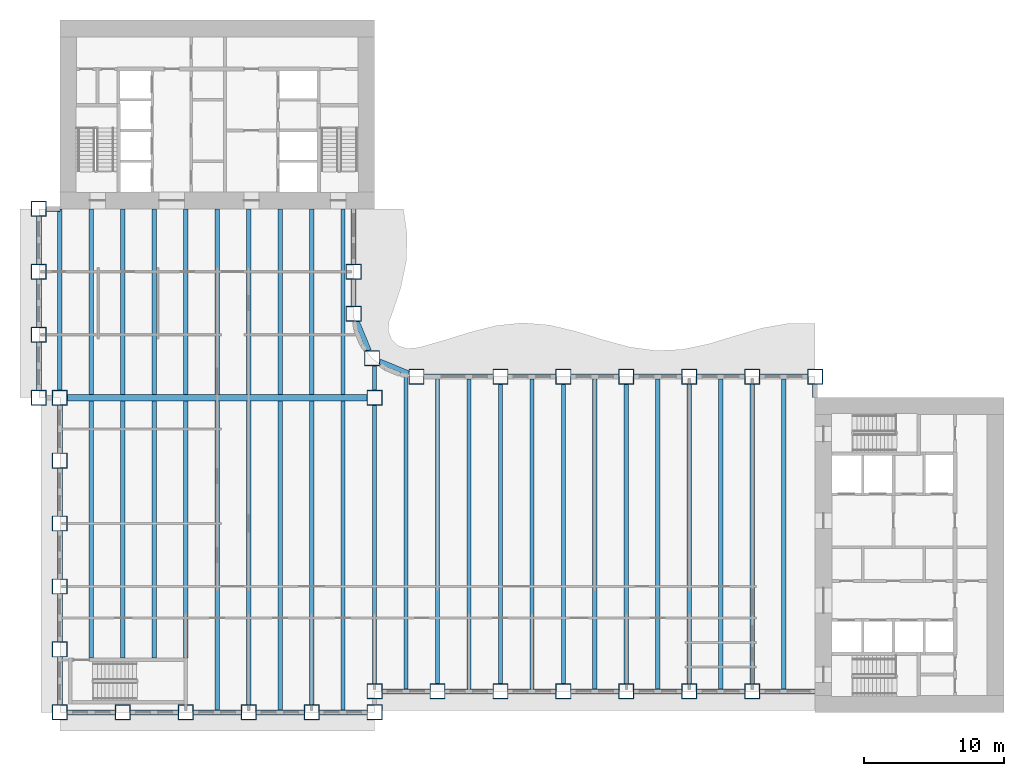
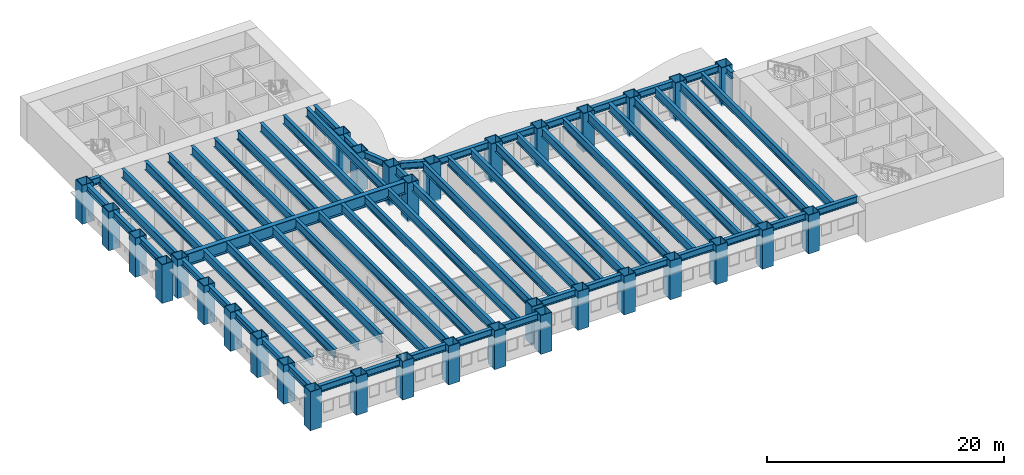
# One storey, part 1 of 17: 67 beams, 33 columns.
"""IFC4 building model written with IfcOpenShell, lengths in metres."""

from ifc_helpers import new_model, si_unit, direction, frame, origin, origin_2d, place, context, subcontext, project, spatial, hollow_rectangle, i_section, extrude, material, material_profile, profile_set, type_object, element, save


model = new_model("IFC4")

# Units and contexts
model_context = context("Model", 3, precision=1e-05, world=origin(), true_north=direction((0.0, 1.0)))
body_context = subcontext(model_context, "Body", "Model", "MODEL_VIEW")
ifc_project = project(units=[si_unit("LENGTHUNIT", "METRE"), si_unit("AREAUNIT", "SQUARE_METRE"), si_unit("VOLUMEUNIT", "CUBIC_METRE"), si_unit("PLANEANGLEUNIT", "RADIAN"), si_unit("MASSUNIT", "GRAM", prefix="KILO")], contexts=[model_context])

# Site, building, storey
site_placement = place(None, origin())
site = spatial("IfcSite", under=ifc_project, at=site_placement, CompositionType="ELEMENT")
building_placement = place(site_placement, origin())
building = spatial("IfcBuilding", under=site, at=building_placement, Name="Sennacour Bend Tower", CompositionType="ELEMENT")
storey_placement = place(building_placement, frame((0.0, 0.0, 53.0)))
storey = spatial("IfcBuildingStorey", under=building, at=storey_placement, Name="L11", CompositionType="ELEMENT", Elevation=53.0)

# Columns
ifc_material_1 = material(Name="Steel ASTM A572 Grade 50", Category="steel")
ifc_material_profile_1 = material_profile(ifc_material_1, hollow_rectangle(XDim=1.10009765625, YDim=1.10009765625, WallThickness=0.06005859375, at=origin_2d()), Name="Steel ASTM A572 Grade 50", Category="steel")
ifc_profile_set_1 = profile_set([ifc_material_profile_1], Name="Steel ASTM A572 Grade 50")
column_type = type_object("IfcColumnType", Name="Box column 1100", PredefinedType="COLUMN", material=ifc_profile_set_1)
for number, where, z_axis, x_axis, name in (
    (1, (-1.5, 22.5, -0.14990234375), (0.0, 0.0, 1.0), (1.0, 0.0, 0.0), "Perimeter column C1 L11-001"),
    (2, (-1.5, 27.0, -0.14990234375), (0.0, 0.0, 1.0), (1.0, 0.0, 0.0), "Perimeter column C1 L11-002"),
    (3, (-1.5, 31.5, -0.14990234375), (0.0, 0.0, 1.0), (1.0, 0.0, 0.0), "Perimeter column C1 L11-003"),
    (4, (-1.5, 36.0, -0.14990234375), (0.0, 0.0, 1.0), (1.0, 0.0, 0.0), "Perimeter column C1 L11-004"),
    (5, (0.0, 0.0, -0.14990234375), (0.0, 0.0, 1.0), (1.0, 0.0, 0.0), "Perimeter column C1 L11-005"),
    (6, (0.0, 4.5, -0.14990234375), (0.0, 0.0, 1.0), (1.0, 0.0, 0.0), "Perimeter column C1 L11-006"),
    (7, (0.0, 9.0, -0.14990234375), (0.0, 0.0, 1.0), (1.0, 0.0, 0.0), "Perimeter column C1 L11-007"),
    (8, (0.0, 13.5, -0.14990234375), (0.0, 0.0, 1.0), (1.0, 0.0, 0.0), "Perimeter column C1 L11-008"),
    (9, (0.0, 18.0, -0.14990234375), (0.0, 0.0, 1.0), (1.0, 0.0, 0.0), "Perimeter column C1 L11-009"),
    (10, (0.0, 22.5, -0.14990234375), (0.0, 0.0, 1.0), (1.0, 0.0, 0.0), "Perimeter column C1 L11-010"),
    (11, (4.5, 0.0, -0.14990234375), (0.0, 0.0, 1.0), (1.0, 0.0, 0.0), "Perimeter column C1 L11-011"),
    (12, (9.0, 0.0, -0.14990234375), (0.0, 0.0, 1.0), (1.0, 0.0, 0.0), "Perimeter column C1 L11-012"),
    (13, (13.5, 0.0, -0.14990234375), (0.0, 0.0, 1.0), (1.0, 0.0, 0.0), "Perimeter column C1 L11-013"),
    (14, (18.0, 0.0, -0.14990234375), (0.0, 0.0, 1.0), (1.0, 0.0, 0.0), "Perimeter column C1 L11-014"),
    (15, (21.0, 28.5, -0.14990234375), (0.0, 0.0, 1.0), (1.0, 0.0, 0.0), "Perimeter column C1 L11-015"),
    (16, (21.0, 31.5, -0.14990234375), (0.0, 0.0, 1.0), (1.0, 0.0, 0.0), "Perimeter column C1 L11-016"),
    (17, (22.318115234375, 25.318115234375, -0.14990234375), (0.0, 0.0, 1.0), (1.0, 0.0, 0.0), "Perimeter column C1 L11-017"),
    (18, (22.5, 0.0, -0.14990234375), (0.0, 0.0, 1.0), (1.0, 0.0, 0.0), "Perimeter column C1 L11-018"),
    (19, (22.5, 1.5, -0.14990234375), (0.0, 0.0, 1.0), (1.0, 0.0, 0.0), "Perimeter column C1 L11-019"),
    (20, (22.5, 22.5, -0.14990234375), (0.0, 0.0, 1.0), (1.0, 0.0, 0.0), "Knuckle column C1 L11-020"),
    (21, (25.5, 24.0, -0.14990234375), (0.0, 0.0, 1.0), (1.0, 0.0, 0.0), "Perimeter column C1 L11-021"),
    (22, (27.0, 1.5, -0.14990234375), (0.0, 0.0, 1.0), (1.0, 0.0, 0.0), "Perimeter column C1 L11-022"),
    (23, (31.5, 1.5, -0.14990234375), (0.0, 0.0, 1.0), (1.0, 0.0, 0.0), "Perimeter column C1 L11-023"),
    (24, (31.5, 24.0, -0.14990234375), (0.0, 0.0, 1.0), (1.0, 0.0, 0.0), "Perimeter column C1 L11-024"),
    (25, (36.0, 1.5, -0.14990234375), (0.0, 0.0, 1.0), (1.0, 0.0, 0.0), "Perimeter column C1 L11-025"),
    (26, (36.0, 24.0, -0.14990234375), (0.0, 0.0, 1.0), (1.0, 0.0, 0.0), "Perimeter column C1 L11-026"),
    (27, (40.5, 1.5, -0.14990234375), (0.0, 0.0, 1.0), (1.0, 0.0, 0.0), "Perimeter column C1 L11-027"),
    (28, (40.5, 24.0, -0.14990234375), (0.0, 0.0, 1.0), (1.0, 0.0, 0.0), "Perimeter column C1 L11-028"),
    (29, (45.0, 1.5, -0.14990234375), (0.0, 0.0, 1.0), (1.0, 0.0, 0.0), "Perimeter column C1 L11-029"),
    (30, (45.0, 24.0, -0.14990234375), (0.0, 0.0, 1.0), (1.0, 0.0, 0.0), "Perimeter column C1 L11-030"),
    (31, (49.5, 1.5, -0.14990234375), (0.0, 0.0, 1.0), (1.0, 0.0, 0.0), "Perimeter column C1 L11-031"),
    (32, (49.5, 24.0, -0.14990234375), (0.0, 0.0, 1.0), (1.0, 0.0, 0.0), "Perimeter column C1 L11-032"),
    (33, (54.0, 24.0, -0.14990234375), (0.0, 0.0, 1.0), (1.0, 0.0, 0.0), "Perimeter column C1 L11-033"),
):
    element("IfcColumn", number, at=place(storey_placement, frame(where, z_axis=z_axis, x_axis=x_axis)), inside=storey, type_object=column_type, Name=name, PredefinedType="COLUMN", context=body_context, shape_type="SweptSolid", body=[
        extrude(hollow_rectangle(XDim=1.10009765625, YDim=1.10009765625, WallThickness=0.06005859375, at=origin_2d()), origin(), (0.0, 0.0, 1.0), 4.0),
    ])

# Beams
ifc_material_2 = material(Name="Steel ASTM A992 Grade 50", Category="steel")
ifc_material_profile_2 = material_profile(ifc_material_2, i_section(OverallWidth=0.304931640625, OverallDepth=0.912109375, WebThickness=0.015869140625, FlangeThickness=0.02392578125, FilletRadius=0.01904296875, at=origin_2d()), Name="Steel ASTM A992 Grade 50", Category="steel")
ifc_profile_set_2 = profile_set([ifc_material_profile_2], Name="Steel ASTM A992 Grade 50")
beam_type_1 = type_object("IfcBeamType", Name="Floor beam W920X223", PredefinedType="BEAM", material=ifc_profile_set_2)
beam_1_placement = place(storey_placement, frame((0.0, 23.050048828125, 3.39404296875), z_axis=(0.0, 1.0, 0.0), x_axis=(-1.0, 0.0, 0.0)))
element("IfcBeam", 34, at=beam_1_placement, inside=storey, type_object=beam_type_1, Name="Floor beam FBM1 L12-001", PredefinedType="BEAM", context=body_context, shape_type="SweptSolid", body=[
    extrude(i_section(OverallWidth=0.304931640625, OverallDepth=0.912109375, WebThickness=0.015869140625, FlangeThickness=0.02392578125, FilletRadius=0.01904296875, at=origin_2d()), origin(), (0.0, 0.0, 1.0), 12.949951171875),
])
beam_2_placement = place(storey_placement, frame((2.25, 3.875, 3.39404296875), z_axis=(0.0, 1.0, 0.0), x_axis=(-1.0, 0.0, 0.0)))
element("IfcBeam", 35, at=beam_2_placement, inside=storey, type_object=beam_type_1, Name="Floor beam FBM1 L12-002", PredefinedType="BEAM", context=body_context, shape_type="SweptSolid", body=[
    extrude(i_section(OverallWidth=0.304931640625, OverallDepth=0.912109375, WebThickness=0.015869140625, FlangeThickness=0.02392578125, FilletRadius=0.01904296875, at=origin_2d()), origin(), (0.0, 0.0, 1.0), 18.39990234375),
])
beam_3_placement = place(storey_placement, frame((2.25, 22.72509765625, 3.39404296875), z_axis=(0.0, 1.0, 0.0), x_axis=(-1.0, 0.0, 0.0)))
element("IfcBeam", 36, at=beam_3_placement, inside=storey, type_object=beam_type_1, Name="Floor beam FBM1 L12-003", PredefinedType="BEAM", context=body_context, shape_type="SweptSolid", body=[
    extrude(i_section(OverallWidth=0.304931640625, OverallDepth=0.912109375, WebThickness=0.015869140625, FlangeThickness=0.02392578125, FilletRadius=0.01904296875, at=origin_2d()), origin(), (0.0, 0.0, 1.0), 13.27490234375),
])
beam_4_placement = place(storey_placement, frame((4.5, 3.875, 3.39404296875), z_axis=(0.0, 1.0, 0.0), x_axis=(-1.0, 0.0, 0.0)))
element("IfcBeam", 37, at=beam_4_placement, inside=storey, type_object=beam_type_1, Name="Floor beam FBM1 L12-004", PredefinedType="BEAM", context=body_context, shape_type="SweptSolid", body=[
    extrude(i_section(OverallWidth=0.304931640625, OverallDepth=0.912109375, WebThickness=0.015869140625, FlangeThickness=0.02392578125, FilletRadius=0.01904296875, at=origin_2d()), origin(), (0.0, 0.0, 1.0), 18.39990234375),
])
beam_5_placement = place(storey_placement, frame((4.5, 22.72509765625, 3.39404296875), z_axis=(0.0, 1.0, 0.0), x_axis=(-1.0, 0.0, 0.0)))
element("IfcBeam", 38, at=beam_5_placement, inside=storey, type_object=beam_type_1, Name="Floor beam FBM1 L12-005", PredefinedType="BEAM", context=body_context, shape_type="SweptSolid", body=[
    extrude(i_section(OverallWidth=0.304931640625, OverallDepth=0.912109375, WebThickness=0.015869140625, FlangeThickness=0.02392578125, FilletRadius=0.01904296875, at=origin_2d()), origin(), (0.0, 0.0, 1.0), 13.27490234375),
])
beam_6_placement = place(storey_placement, frame((6.75, 3.875, 3.39404296875), z_axis=(0.0, 1.0, 0.0), x_axis=(-1.0, 0.0, 0.0)))
element("IfcBeam", 39, at=beam_6_placement, inside=storey, type_object=beam_type_1, Name="Floor beam FBM1 L12-006", PredefinedType="BEAM", context=body_context, shape_type="SweptSolid", body=[
    extrude(i_section(OverallWidth=0.304931640625, OverallDepth=0.912109375, WebThickness=0.015869140625, FlangeThickness=0.02392578125, FilletRadius=0.01904296875, at=origin_2d()), origin(), (0.0, 0.0, 1.0), 18.39990234375),
])
beam_7_placement = place(storey_placement, frame((6.75, 22.72509765625, 3.39404296875), z_axis=(0.0, 1.0, 0.0), x_axis=(-1.0, 0.0, 0.0)))
element("IfcBeam", 40, at=beam_7_placement, inside=storey, type_object=beam_type_1, Name="Floor beam FBM1 L12-007", PredefinedType="BEAM", context=body_context, shape_type="SweptSolid", body=[
    extrude(i_section(OverallWidth=0.304931640625, OverallDepth=0.912109375, WebThickness=0.015869140625, FlangeThickness=0.02392578125, FilletRadius=0.01904296875, at=origin_2d()), origin(), (0.0, 0.0, 1.0), 13.27490234375),
])
beam_8_placement = place(storey_placement, frame((9.0, 3.875, 3.39404296875), z_axis=(0.0, 1.0, 0.0), x_axis=(-1.0, 0.0, 0.0)))
element("IfcBeam", 41, at=beam_8_placement, inside=storey, type_object=beam_type_1, Name="Floor beam FBM1 L12-008", PredefinedType="BEAM", context=body_context, shape_type="SweptSolid", body=[
    extrude(i_section(OverallWidth=0.304931640625, OverallDepth=0.912109375, WebThickness=0.015869140625, FlangeThickness=0.02392578125, FilletRadius=0.01904296875, at=origin_2d()), origin(), (0.0, 0.0, 1.0), 18.39990234375),
])
beam_9_placement = place(storey_placement, frame((9.0, 22.72509765625, 3.39404296875), z_axis=(0.0, 1.0, 0.0), x_axis=(-1.0, 0.0, 0.0)))
element("IfcBeam", 42, at=beam_9_placement, inside=storey, type_object=beam_type_1, Name="Floor beam FBM1 L12-009", PredefinedType="BEAM", context=body_context, shape_type="SweptSolid", body=[
    extrude(i_section(OverallWidth=0.304931640625, OverallDepth=0.912109375, WebThickness=0.015869140625, FlangeThickness=0.02392578125, FilletRadius=0.01904296875, at=origin_2d()), origin(), (0.0, 0.0, 1.0), 13.27490234375),
])
beam_10_placement = place(storey_placement, frame((11.25, 0.178955078125, 3.39404296875), z_axis=(0.0, 1.0, 0.0), x_axis=(-1.0, 0.0, 0.0)))
element("IfcBeam", 43, at=beam_10_placement, inside=storey, type_object=beam_type_1, Name="Floor beam FBM1 L12-010", PredefinedType="BEAM", context=body_context, shape_type="SweptSolid", body=[
    extrude(i_section(OverallWidth=0.304931640625, OverallDepth=0.912109375, WebThickness=0.015869140625, FlangeThickness=0.02392578125, FilletRadius=0.01904296875, at=origin_2d()), origin(), (0.0, 0.0, 1.0), 22.095947265625),
])
beam_11_placement = place(storey_placement, frame((11.25, 22.72509765625, 3.39404296875), z_axis=(0.0, 1.0, 0.0), x_axis=(-1.0, 0.0, 0.0)))
element("IfcBeam", 44, at=beam_11_placement, inside=storey, type_object=beam_type_1, Name="Floor beam FBM1 L12-011", PredefinedType="BEAM", context=body_context, shape_type="SweptSolid", body=[
    extrude(i_section(OverallWidth=0.304931640625, OverallDepth=0.912109375, WebThickness=0.015869140625, FlangeThickness=0.02392578125, FilletRadius=0.01904296875, at=origin_2d()), origin(), (0.0, 0.0, 1.0), 13.27490234375),
])
beam_12_placement = place(storey_placement, frame((13.5, 0.550048828125, 3.39404296875), z_axis=(0.0, 1.0, 0.0), x_axis=(-1.0, 0.0, 0.0)))
element("IfcBeam", 45, at=beam_12_placement, inside=storey, type_object=beam_type_1, Name="Floor beam FBM1 L12-012", PredefinedType="BEAM", context=body_context, shape_type="SweptSolid", body=[
    extrude(i_section(OverallWidth=0.304931640625, OverallDepth=0.912109375, WebThickness=0.015869140625, FlangeThickness=0.02392578125, FilletRadius=0.01904296875, at=origin_2d()), origin(), (0.0, 0.0, 1.0), 21.724853515625),
])
beam_13_placement = place(storey_placement, frame((13.5, 22.72509765625, 3.39404296875), z_axis=(0.0, 1.0, 0.0), x_axis=(-1.0, 0.0, 0.0)))
element("IfcBeam", 46, at=beam_13_placement, inside=storey, type_object=beam_type_1, Name="Floor beam FBM1 L12-013", PredefinedType="BEAM", context=body_context, shape_type="SweptSolid", body=[
    extrude(i_section(OverallWidth=0.304931640625, OverallDepth=0.912109375, WebThickness=0.015869140625, FlangeThickness=0.02392578125, FilletRadius=0.01904296875, at=origin_2d()), origin(), (0.0, 0.0, 1.0), 13.27490234375),
])
beam_14_placement = place(storey_placement, frame((15.75, 0.178955078125, 3.39404296875), z_axis=(0.0, 1.0, 0.0), x_axis=(-1.0, 0.0, 0.0)))
element("IfcBeam", 47, at=beam_14_placement, inside=storey, type_object=beam_type_1, Name="Floor beam FBM1 L12-014", PredefinedType="BEAM", context=body_context, shape_type="SweptSolid", body=[
    extrude(i_section(OverallWidth=0.304931640625, OverallDepth=0.912109375, WebThickness=0.015869140625, FlangeThickness=0.02392578125, FilletRadius=0.01904296875, at=origin_2d()), origin(), (0.0, 0.0, 1.0), 22.095947265625),
])
beam_15_placement = place(storey_placement, frame((15.75, 22.72509765625, 3.39404296875), z_axis=(0.0, 1.0, 0.0), x_axis=(-1.0, 0.0, 0.0)))
element("IfcBeam", 48, at=beam_15_placement, inside=storey, type_object=beam_type_1, Name="Floor beam FBM1 L12-015", PredefinedType="BEAM", context=body_context, shape_type="SweptSolid", body=[
    extrude(i_section(OverallWidth=0.304931640625, OverallDepth=0.912109375, WebThickness=0.015869140625, FlangeThickness=0.02392578125, FilletRadius=0.01904296875, at=origin_2d()), origin(), (0.0, 0.0, 1.0), 13.27490234375),
])
beam_16_placement = place(storey_placement, frame((18.0, 0.550048828125, 3.39404296875), z_axis=(0.0, 1.0, 0.0), x_axis=(-1.0, 0.0, 0.0)))
element("IfcBeam", 49, at=beam_16_placement, inside=storey, type_object=beam_type_1, Name="Floor beam FBM1 L12-016", PredefinedType="BEAM", context=body_context, shape_type="SweptSolid", body=[
    extrude(i_section(OverallWidth=0.304931640625, OverallDepth=0.912109375, WebThickness=0.015869140625, FlangeThickness=0.02392578125, FilletRadius=0.01904296875, at=origin_2d()), origin(), (0.0, 0.0, 1.0), 21.724853515625),
])
beam_17_placement = place(storey_placement, frame((18.0, 22.72509765625, 3.39404296875), z_axis=(0.0, 1.0, 0.0), x_axis=(-1.0, 0.0, 0.0)))
element("IfcBeam", 50, at=beam_17_placement, inside=storey, type_object=beam_type_1, Name="Floor beam FBM1 L12-017", PredefinedType="BEAM", context=body_context, shape_type="SweptSolid", body=[
    extrude(i_section(OverallWidth=0.304931640625, OverallDepth=0.912109375, WebThickness=0.015869140625, FlangeThickness=0.02392578125, FilletRadius=0.01904296875, at=origin_2d()), origin(), (0.0, 0.0, 1.0), 13.27490234375),
])
beam_18_placement = place(storey_placement, frame((20.25, 0.178955078125, 3.39404296875), z_axis=(0.0, 1.0, 0.0), x_axis=(-1.0, 0.0, 0.0)))
element("IfcBeam", 51, at=beam_18_placement, inside=storey, type_object=beam_type_1, Name="Floor beam FBM1 L12-018", PredefinedType="BEAM", context=body_context, shape_type="SweptSolid", body=[
    extrude(i_section(OverallWidth=0.304931640625, OverallDepth=0.912109375, WebThickness=0.015869140625, FlangeThickness=0.02392578125, FilletRadius=0.01904296875, at=origin_2d()), origin(), (0.0, 0.0, 1.0), 22.095947265625),
])
beam_19_placement = place(storey_placement, frame((20.25, 22.72509765625, 3.39404296875), z_axis=(0.0, 1.0, 0.0), x_axis=(-1.0, 0.0, 0.0)))
element("IfcBeam", 52, at=beam_19_placement, inside=storey, type_object=beam_type_1, Name="Floor beam FBM1 L12-019", PredefinedType="BEAM", context=body_context, shape_type="SweptSolid", body=[
    extrude(i_section(OverallWidth=0.304931640625, OverallDepth=0.912109375, WebThickness=0.015869140625, FlangeThickness=0.02392578125, FilletRadius=0.01904296875, at=origin_2d()), origin(), (0.0, 0.0, 1.0), 13.27490234375),
])
beam_20_placement = place(storey_placement, frame((22.5, 2.050048828125, 3.39404296875), z_axis=(0.0, 1.0, 0.0), x_axis=(-1.0, 0.0, 0.0)))
element("IfcBeam", 53, at=beam_20_placement, inside=storey, type_object=beam_type_1, Name="Floor beam FBM1 L12-020", PredefinedType="BEAM", context=body_context, shape_type="SweptSolid", body=[
    extrude(i_section(OverallWidth=0.304931640625, OverallDepth=0.912109375, WebThickness=0.015869140625, FlangeThickness=0.02392578125, FilletRadius=0.01904296875, at=origin_2d()), origin(), (0.0, 0.0, 1.0), 19.89990234375),
])
beam_21_placement = place(storey_placement, frame((22.5, 23.050048828125, 3.39404296875), z_axis=(0.0, 1.0, 0.0), x_axis=(-1.0, 0.0, 0.0)))
element("IfcBeam", 54, at=beam_21_placement, inside=storey, type_object=beam_type_1, Name="Floor beam FBM1 L12-021", PredefinedType="BEAM", context=body_context, shape_type="SweptSolid", body=[
    extrude(i_section(OverallWidth=0.304931640625, OverallDepth=0.912109375, WebThickness=0.015869140625, FlangeThickness=0.02392578125, FilletRadius=0.01904296875, at=origin_2d()), origin(), (0.0, 0.0, 1.0), 1.718017578125),
])
beam_22_placement = place(storey_placement, frame((24.75, 1.678955078125, 3.39404296875), z_axis=(0.0, 1.0, 0.0), x_axis=(-1.0, 0.0, 0.0)))
element("IfcBeam", 55, at=beam_22_placement, inside=storey, type_object=beam_type_1, Name="Floor beam FBM1 L12-022", PredefinedType="BEAM", context=body_context, shape_type="SweptSolid", body=[
    extrude(i_section(OverallWidth=0.304931640625, OverallDepth=0.912109375, WebThickness=0.015869140625, FlangeThickness=0.02392578125, FilletRadius=0.01904296875, at=origin_2d()), origin(), (0.0, 0.0, 1.0), 22.43798828125),
])
beam_23_placement = place(storey_placement, frame((27.0, 2.050048828125, 3.39404296875), z_axis=(0.0, 1.0, 0.0), x_axis=(-1.0, 0.0, 0.0)))
element("IfcBeam", 56, at=beam_23_placement, inside=storey, type_object=beam_type_1, Name="Floor beam FBM1 L12-023", PredefinedType="BEAM", context=body_context, shape_type="SweptSolid", body=[
    extrude(i_section(OverallWidth=0.304931640625, OverallDepth=0.912109375, WebThickness=0.015869140625, FlangeThickness=0.02392578125, FilletRadius=0.01904296875, at=origin_2d()), origin(), (0.0, 0.0, 1.0), 21.77099609375),
])
beam_24_placement = place(storey_placement, frame((29.25, 1.678955078125, 3.39404296875), z_axis=(0.0, 1.0, 0.0), x_axis=(-1.0, 0.0, 0.0)))
element("IfcBeam", 57, at=beam_24_placement, inside=storey, type_object=beam_type_1, Name="Floor beam FBM1 L12-024", PredefinedType="BEAM", context=body_context, shape_type="SweptSolid", body=[
    extrude(i_section(OverallWidth=0.304931640625, OverallDepth=0.912109375, WebThickness=0.015869140625, FlangeThickness=0.02392578125, FilletRadius=0.01904296875, at=origin_2d()), origin(), (0.0, 0.0, 1.0), 22.14208984375),
])
beam_25_placement = place(storey_placement, frame((31.5, 2.050048828125, 3.39404296875), z_axis=(0.0, 1.0, 0.0), x_axis=(-1.0, 0.0, 0.0)))
element("IfcBeam", 58, at=beam_25_placement, inside=storey, type_object=beam_type_1, Name="Floor beam FBM1 L12-025", PredefinedType="BEAM", context=body_context, shape_type="SweptSolid", body=[
    extrude(i_section(OverallWidth=0.304931640625, OverallDepth=0.912109375, WebThickness=0.015869140625, FlangeThickness=0.02392578125, FilletRadius=0.01904296875, at=origin_2d()), origin(), (0.0, 0.0, 1.0), 21.39990234375),
])
beam_26_placement = place(storey_placement, frame((33.75, 1.678955078125, 3.39404296875), z_axis=(0.0, 1.0, 0.0), x_axis=(-1.0, 0.0, 0.0)))
element("IfcBeam", 59, at=beam_26_placement, inside=storey, type_object=beam_type_1, Name="Floor beam FBM1 L12-026", PredefinedType="BEAM", context=body_context, shape_type="SweptSolid", body=[
    extrude(i_section(OverallWidth=0.304931640625, OverallDepth=0.912109375, WebThickness=0.015869140625, FlangeThickness=0.02392578125, FilletRadius=0.01904296875, at=origin_2d()), origin(), (0.0, 0.0, 1.0), 22.14208984375),
])
beam_27_placement = place(storey_placement, frame((36.0, 2.050048828125, 3.39404296875), z_axis=(0.0, 1.0, 0.0), x_axis=(-1.0, 0.0, 0.0)))
element("IfcBeam", 60, at=beam_27_placement, inside=storey, type_object=beam_type_1, Name="Floor beam FBM1 L12-027", PredefinedType="BEAM", context=body_context, shape_type="SweptSolid", body=[
    extrude(i_section(OverallWidth=0.304931640625, OverallDepth=0.912109375, WebThickness=0.015869140625, FlangeThickness=0.02392578125, FilletRadius=0.01904296875, at=origin_2d()), origin(), (0.0, 0.0, 1.0), 21.39990234375),
])
beam_28_placement = place(storey_placement, frame((38.25, 1.678955078125, 3.39404296875), z_axis=(0.0, 1.0, 0.0), x_axis=(-1.0, 0.0, 0.0)))
element("IfcBeam", 61, at=beam_28_placement, inside=storey, type_object=beam_type_1, Name="Floor beam FBM1 L12-028", PredefinedType="BEAM", context=body_context, shape_type="SweptSolid", body=[
    extrude(i_section(OverallWidth=0.304931640625, OverallDepth=0.912109375, WebThickness=0.015869140625, FlangeThickness=0.02392578125, FilletRadius=0.01904296875, at=origin_2d()), origin(), (0.0, 0.0, 1.0), 22.14208984375),
])
beam_29_placement = place(storey_placement, frame((40.5, 2.050048828125, 3.39404296875), z_axis=(0.0, 1.0, 0.0), x_axis=(-1.0, 0.0, 0.0)))
element("IfcBeam", 62, at=beam_29_placement, inside=storey, type_object=beam_type_1, Name="Floor beam FBM1 L12-029", PredefinedType="BEAM", context=body_context, shape_type="SweptSolid", body=[
    extrude(i_section(OverallWidth=0.304931640625, OverallDepth=0.912109375, WebThickness=0.015869140625, FlangeThickness=0.02392578125, FilletRadius=0.01904296875, at=origin_2d()), origin(), (0.0, 0.0, 1.0), 21.39990234375),
])
beam_30_placement = place(storey_placement, frame((42.75, 1.678955078125, 3.39404296875), z_axis=(0.0, 1.0, 0.0), x_axis=(-1.0, 0.0, 0.0)))
element("IfcBeam", 63, at=beam_30_placement, inside=storey, type_object=beam_type_1, Name="Floor beam FBM1 L12-030", PredefinedType="BEAM", context=body_context, shape_type="SweptSolid", body=[
    extrude(i_section(OverallWidth=0.304931640625, OverallDepth=0.912109375, WebThickness=0.015869140625, FlangeThickness=0.02392578125, FilletRadius=0.01904296875, at=origin_2d()), origin(), (0.0, 0.0, 1.0), 22.14208984375),
])
beam_31_placement = place(storey_placement, frame((45.0, 2.050048828125, 3.39404296875), z_axis=(0.0, 1.0, 0.0), x_axis=(-1.0, 0.0, 0.0)))
element("IfcBeam", 64, at=beam_31_placement, inside=storey, type_object=beam_type_1, Name="Floor beam FBM1 L12-031", PredefinedType="BEAM", context=body_context, shape_type="SweptSolid", body=[
    extrude(i_section(OverallWidth=0.304931640625, OverallDepth=0.912109375, WebThickness=0.015869140625, FlangeThickness=0.02392578125, FilletRadius=0.01904296875, at=origin_2d()), origin(), (0.0, 0.0, 1.0), 21.39990234375),
])
beam_32_placement = place(storey_placement, frame((47.25, 1.678955078125, 3.39404296875), z_axis=(0.0, 1.0, 0.0), x_axis=(-1.0, 0.0, 0.0)))
element("IfcBeam", 65, at=beam_32_placement, inside=storey, type_object=beam_type_1, Name="Floor beam FBM1 L12-032", PredefinedType="BEAM", context=body_context, shape_type="SweptSolid", body=[
    extrude(i_section(OverallWidth=0.304931640625, OverallDepth=0.912109375, WebThickness=0.015869140625, FlangeThickness=0.02392578125, FilletRadius=0.01904296875, at=origin_2d()), origin(), (0.0, 0.0, 1.0), 22.14208984375),
])
beam_33_placement = place(storey_placement, frame((49.5, 2.050048828125, 3.39404296875), z_axis=(0.0, 1.0, 0.0), x_axis=(-1.0, 0.0, 0.0)))
element("IfcBeam", 66, at=beam_33_placement, inside=storey, type_object=beam_type_1, Name="Floor beam FBM1 L12-033", PredefinedType="BEAM", context=body_context, shape_type="SweptSolid", body=[
    extrude(i_section(OverallWidth=0.304931640625, OverallDepth=0.912109375, WebThickness=0.015869140625, FlangeThickness=0.02392578125, FilletRadius=0.01904296875, at=origin_2d()), origin(), (0.0, 0.0, 1.0), 21.39990234375),
])
beam_34_placement = place(storey_placement, frame((51.75, 1.678955078125, 3.39404296875), z_axis=(0.0, 1.0, 0.0), x_axis=(-1.0, 0.0, 0.0)))
element("IfcBeam", 67, at=beam_34_placement, inside=storey, type_object=beam_type_1, Name="Floor beam FBM1 L12-034", PredefinedType="BEAM", context=body_context, shape_type="SweptSolid", body=[
    extrude(i_section(OverallWidth=0.304931640625, OverallDepth=0.912109375, WebThickness=0.015869140625, FlangeThickness=0.02392578125, FilletRadius=0.01904296875, at=origin_2d()), origin(), (0.0, 0.0, 1.0), 22.14208984375),
])
ifc_material_profile_3 = material_profile(ifc_material_1, i_section(OverallWidth=0.449951171875, OverallDepth=1.25, WebThickness=0.028076171875, FlangeThickness=0.050048828125, at=origin_2d()), Name="Steel ASTM A572 Grade 50", Category="steel")
ifc_profile_set_3 = profile_set([ifc_material_profile_3], Name="Steel ASTM A572 Grade 50")
beam_type_2 = type_object("IfcBeamType", Name="Knuckle girder 1250", PredefinedType="USERDEFINED", material=ifc_profile_set_3)
beam_35_placement = place(storey_placement, frame((0.550048828125, 22.5, 3.22509765625), z_axis=(1.0, 0.0, 0.0), x_axis=(0.0, 1.0, 0.0)))
element("IfcBeam", 68, at=beam_35_placement, inside=storey, type_object=beam_type_2, Name="Knuckle girder GK L12-001", ObjectType="KNUCKLE GIRDER", PredefinedType="USERDEFINED", context=body_context, shape_type="SweptSolid", body=[
    extrude(i_section(OverallWidth=0.449951171875, OverallDepth=1.25, WebThickness=0.028076171875, FlangeThickness=0.050048828125, at=origin_2d()), origin(), (0.0, 0.0, 1.0), 21.39990234375),
])
ifc_material_profile_4 = material_profile(ifc_material_2, i_section(OverallWidth=0.35791015625, OverallDepth=0.7060546875, WebThickness=0.018310546875, FlangeThickness=0.0302734375, FilletRadius=0.02001953125, at=origin_2d()), Name="Steel ASTM A992 Grade 50", Category="steel")
ifc_profile_set_4 = profile_set([ifc_material_profile_4], Name="Steel ASTM A992 Grade 50")
beam_type_3 = type_object("IfcBeamType", Name="Spandrel beam W690X265", PredefinedType="SPANDREL", material=ifc_profile_set_4)
for number, where, z_axis, x_axis, name in (
    (69, (0.0, 0.550048828125, 3.4970703125), (0.0, 1.0, 0.0), (-1.0, 0.0, 0.0), "Spandrel beam SP2 L12-001"),
    (70, (0.0, 5.050048828125, 3.4970703125), (0.0, 1.0, 0.0), (-1.0, 0.0, 0.0), "Spandrel beam SP2 L12-002"),
    (71, (0.0, 9.550048828125, 3.4970703125), (0.0, 1.0, 0.0), (-1.0, 0.0, 0.0), "Spandrel beam SP2 L12-003"),
    (72, (0.0, 14.050048828125, 3.4970703125), (0.0, 1.0, 0.0), (-1.0, 0.0, 0.0), "Spandrel beam SP2 L12-004"),
    (73, (0.0, 18.550048828125, 3.4970703125), (0.0, 1.0, 0.0), (-1.0, 0.0, 0.0), "Spandrel beam SP2 L12-005"),
    (74, (-1.5, 23.050048828125, 3.4970703125), (0.0, 1.0, 0.0), (-1.0, 0.0, 0.0), "Spandrel beam SP2 L12-006"),
    (75, (-1.5, 27.550048828125, 3.4970703125), (0.0, 1.0, 0.0), (-1.0, 0.0, 0.0), "Spandrel beam SP2 L12-007"),
    (76, (-1.5, 32.050048828125, 3.4970703125), (0.0, 1.0, 0.0), (-1.0, 0.0, 0.0), "Spandrel beam SP2 L12-008"),
):
    element("IfcBeam", number, at=place(storey_placement, frame(where, z_axis=z_axis, x_axis=x_axis)), inside=storey, type_object=beam_type_3, Name=name, PredefinedType="SPANDREL", context=body_context, shape_type="SweptSolid", body=[
        extrude(i_section(OverallWidth=0.35791015625, OverallDepth=0.7060546875, WebThickness=0.018310546875, FlangeThickness=0.0302734375, FilletRadius=0.02001953125, at=origin_2d()), origin(), (0.0, 0.0, 1.0), 3.39990234375),
    ])
beam_36_placement = place(storey_placement, frame((-0.949951171875, 36.0, 3.4970703125), z_axis=(1.0, 0.0, 0.0), x_axis=(0.0, 1.0, 0.0)))
element("IfcBeam", 77, at=beam_36_placement, inside=storey, type_object=beam_type_3, Name="Spandrel beam SP2 L12-009", PredefinedType="SPANDREL", context=body_context, shape_type="SweptSolid", body=[
    extrude(i_section(OverallWidth=0.35791015625, OverallDepth=0.7060546875, WebThickness=0.018310546875, FlangeThickness=0.0302734375, FilletRadius=0.02001953125, at=origin_2d()), origin(), (0.0, 0.0, 1.0), 0.949951171875),
])
beam_37_placement = place(storey_placement, frame((21.0, 36.0, 3.4970703125), z_axis=(0.0, -1.0, 0.0), x_axis=(1.0, 0.0, 0.0)))
element("IfcBeam", 78, at=beam_37_placement, inside=storey, type_object=beam_type_3, Name="Spandrel beam SP2 L12-010", PredefinedType="SPANDREL", context=body_context, shape_type="SweptSolid", body=[
    extrude(i_section(OverallWidth=0.35791015625, OverallDepth=0.7060546875, WebThickness=0.018310546875, FlangeThickness=0.0302734375, FilletRadius=0.02001953125, at=origin_2d()), origin(), (0.0, 0.0, 1.0), 3.949951171875),
])
beam_38_placement = place(storey_placement, frame((21.0, 30.949951171875, 3.4970703125), z_axis=(0.0, -1.0, 0.0), x_axis=(1.0, 0.0, 0.0)))
element("IfcBeam", 79, at=beam_38_placement, inside=storey, type_object=beam_type_3, Name="Spandrel beam SP2 L12-011", PredefinedType="SPANDREL", context=body_context, shape_type="SweptSolid", body=[
    extrude(i_section(OverallWidth=0.35791015625, OverallDepth=0.7060546875, WebThickness=0.018310546875, FlangeThickness=0.0302734375, FilletRadius=0.02001953125, at=origin_2d()), origin(), (0.0, 0.0, 1.0), 1.89990234375),
])
for number, where, z_axis, x_axis, name in (
    (80, (21.227783203125, 27.949951171875, 3.4970703125), (0.382645217415, -0.923895360736, 0.0), (0.923895360736, 0.382645217415, 0.0), "Spandrel beam SP2 L12-012"),
    (81, (22.867919921875, 25.090087890625, 3.4970703125), (0.923895360736, -0.382645217415, 0.0), (0.382645217415, 0.923895360736, 0.0), "Spandrel beam SP2 L12-013"),
):
    element("IfcBeam", number, at=place(storey_placement, frame(where, z_axis=z_axis, x_axis=x_axis)), inside=storey, type_object=beam_type_3, Name=name, PredefinedType="SPANDREL", context=body_context, shape_type="SweptSolid", body=[
        extrude(i_section(OverallWidth=0.35791015625, OverallDepth=0.7060546875, WebThickness=0.018310546875, FlangeThickness=0.0302734375, FilletRadius=0.02001953125, at=origin_2d()), origin(), (0.0, 0.0, 1.0), 2.25341796875),
    ])
beam_39_placement = place(storey_placement, frame((26.050048828125, 24.0, 3.4970703125), z_axis=(1.0, 0.0, 0.0), x_axis=(0.0, 1.0, 0.0)))
element("IfcBeam", 82, at=beam_39_placement, inside=storey, type_object=beam_type_3, Name="Spandrel beam SP2 L12-014", PredefinedType="SPANDREL", context=body_context, shape_type="SweptSolid", body=[
    extrude(i_section(OverallWidth=0.35791015625, OverallDepth=0.7060546875, WebThickness=0.018310546875, FlangeThickness=0.0302734375, FilletRadius=0.02001953125, at=origin_2d()), origin(), (0.0, 0.0, 1.0), 4.89990234375),
])
for number, where, z_axis, x_axis, name in (
    (83, (32.050048828125, 24.0, 3.4970703125), (1.0, 0.0, 0.0), (0.0, 1.0, 0.0), "Spandrel beam SP2 L12-015"),
    (84, (36.550048828125, 24.0, 3.4970703125), (1.0, 0.0, 0.0), (0.0, 1.0, 0.0), "Spandrel beam SP2 L12-016"),
    (85, (41.050048828125, 24.0, 3.4970703125), (1.0, 0.0, 0.0), (0.0, 1.0, 0.0), "Spandrel beam SP2 L12-017"),
    (86, (45.550048828125, 24.0, 3.4970703125), (1.0, 0.0, 0.0), (0.0, 1.0, 0.0), "Spandrel beam SP2 L12-018"),
    (87, (50.050048828125, 24.0, 3.4970703125), (1.0, 0.0, 0.0), (0.0, 1.0, 0.0), "Spandrel beam SP2 L12-019"),
):
    element("IfcBeam", number, at=place(storey_placement, frame(where, z_axis=z_axis, x_axis=x_axis)), inside=storey, type_object=beam_type_3, Name=name, PredefinedType="SPANDREL", context=body_context, shape_type="SweptSolid", body=[
        extrude(i_section(OverallWidth=0.35791015625, OverallDepth=0.7060546875, WebThickness=0.018310546875, FlangeThickness=0.0302734375, FilletRadius=0.02001953125, at=origin_2d()), origin(), (0.0, 0.0, 1.0), 3.39990234375),
    ])
beam_40_placement = place(storey_placement, frame((54.0, 23.449951171875, 3.4970703125), z_axis=(0.0, -1.0, 0.0), x_axis=(1.0, 0.0, 0.0)))
element("IfcBeam", 88, at=beam_40_placement, inside=storey, type_object=beam_type_3, Name="Spandrel beam SP2 L12-020", PredefinedType="SPANDREL", context=body_context, shape_type="SweptSolid", body=[
    extrude(i_section(OverallWidth=0.35791015625, OverallDepth=0.7060546875, WebThickness=0.018310546875, FlangeThickness=0.0302734375, FilletRadius=0.02001953125, at=origin_2d()), origin(), (0.0, 0.0, 1.0), 0.949951171875),
])
beam_41_placement = place(storey_placement, frame((54.0, 1.5, 3.4970703125), z_axis=(-1.0, 0.0, 0.0), x_axis=(0.0, -1.0, 0.0)))
element("IfcBeam", 89, at=beam_41_placement, inside=storey, type_object=beam_type_3, Name="Spandrel beam SP2 L12-021", PredefinedType="SPANDREL", context=body_context, shape_type="SweptSolid", body=[
    extrude(i_section(OverallWidth=0.35791015625, OverallDepth=0.7060546875, WebThickness=0.018310546875, FlangeThickness=0.0302734375, FilletRadius=0.02001953125, at=origin_2d()), origin(), (0.0, 0.0, 1.0), 3.949951171875),
])
for number, where, z_axis, x_axis, name in (
    (90, (48.949951171875, 1.5, 3.4970703125), (-1.0, 0.0, 0.0), (0.0, -1.0, 0.0), "Spandrel beam SP2 L12-022"),
    (91, (44.449951171875, 1.5, 3.4970703125), (-1.0, 0.0, 0.0), (0.0, -1.0, 0.0), "Spandrel beam SP2 L12-023"),
    (92, (39.949951171875, 1.5, 3.4970703125), (-1.0, 0.0, 0.0), (0.0, -1.0, 0.0), "Spandrel beam SP2 L12-024"),
    (93, (35.449951171875, 1.5, 3.4970703125), (-1.0, 0.0, 0.0), (0.0, -1.0, 0.0), "Spandrel beam SP2 L12-025"),
    (94, (30.949951171875, 1.5, 3.4970703125), (-1.0, 0.0, 0.0), (0.0, -1.0, 0.0), "Spandrel beam SP2 L12-026"),
    (95, (26.449951171875, 1.5, 3.4970703125), (-1.0, 0.0, 0.0), (0.0, -1.0, 0.0), "Spandrel beam SP2 L12-027"),
    (96, (21.949951171875, 0.0, 3.4970703125), (-1.0, 0.0, 0.0), (0.0, -1.0, 0.0), "Spandrel beam SP2 L12-028"),
    (97, (17.449951171875, 0.0, 3.4970703125), (-1.0, 0.0, 0.0), (0.0, -1.0, 0.0), "Spandrel beam SP2 L12-029"),
    (98, (12.949951171875, 0.0, 3.4970703125), (-1.0, 0.0, 0.0), (0.0, -1.0, 0.0), "Spandrel beam SP2 L12-030"),
    (99, (8.449951171875, 0.0, 3.4970703125), (-1.0, 0.0, 0.0), (0.0, -1.0, 0.0), "Spandrel beam SP2 L12-031"),
    (100, (3.949951171875, 0.0, 3.4970703125), (-1.0, 0.0, 0.0), (0.0, -1.0, 0.0), "Spandrel beam SP2 L12-032"),
):
    element("IfcBeam", number, at=place(storey_placement, frame(where, z_axis=z_axis, x_axis=x_axis)), inside=storey, type_object=beam_type_3, Name=name, PredefinedType="SPANDREL", context=body_context, shape_type="SweptSolid", body=[
        extrude(i_section(OverallWidth=0.35791015625, OverallDepth=0.7060546875, WebThickness=0.018310546875, FlangeThickness=0.0302734375, FilletRadius=0.02001953125, at=origin_2d()), origin(), (0.0, 0.0, 1.0), 3.39990234375),
    ])

save(model, "model.ifc")
